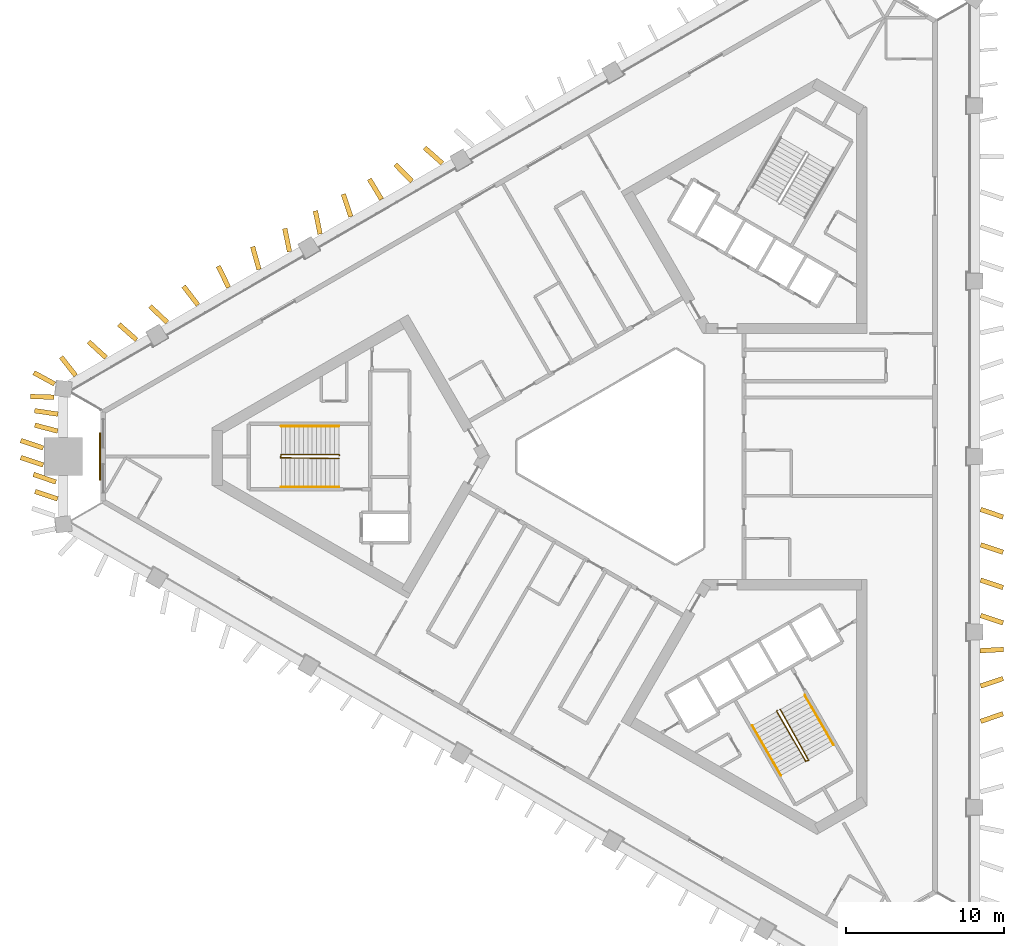
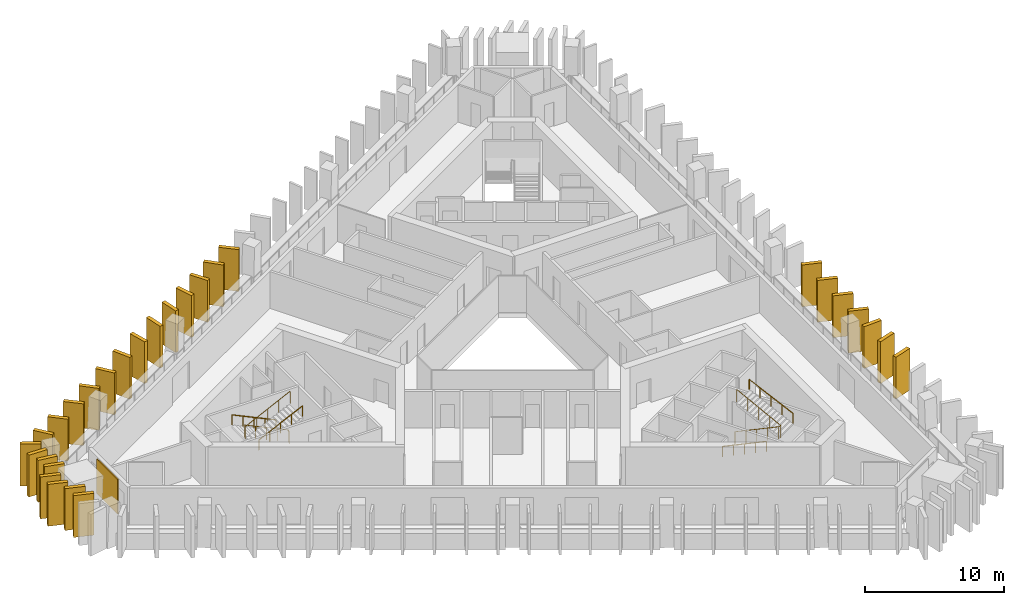
# One storey, part 9 of 11: 28 shading devices, 6 railings, 1 covering.
"""IFC4 building model written with IfcOpenShell, lengths in metres."""

from ifc_helpers import new_model, si_unit, direction, frame, frame_2d, origin, origin_2d, place, context, subcontext, project, spatial, rectangle, circle, extrude, material, layer, layer_set, type_object, element, save


model = new_model("IFC4")

# Units and contexts
model_context = context("Model", 3, precision=1e-05, world=origin(), true_north=direction((0.0, 1.0)))
body_context = subcontext(model_context, "Body", "Model", "MODEL_VIEW")
ifc_project = project(units=[si_unit("LENGTHUNIT", "METRE"), si_unit("AREAUNIT", "SQUARE_METRE"), si_unit("VOLUMEUNIT", "CUBIC_METRE"), si_unit("PLANEANGLEUNIT", "RADIAN"), si_unit("MASSUNIT", "GRAM", prefix="KILO")], contexts=[model_context])

# Site, building, storey
site_placement = place(None, origin())
site = spatial("IfcSite", under=ifc_project, at=site_placement, CompositionType="ELEMENT")
building_placement = place(site_placement, origin())
building = spatial("IfcBuilding", under=site, at=building_placement, Name="Jabali Bay Hotel Tower and Convention Centre", CompositionType="ELEMENT")
storey_placement = place(building_placement, frame((0.0, 0.0, 143.800048828125)))
storey = spatial("IfcBuildingStorey", under=building, at=storey_placement, Name="L35", CompositionType="ELEMENT", Elevation=143.800048828125)

# Shading devices
ifc_material_1 = material(Name="Precast concrete C60", Category="concrete")
ifc_layer_1 = layer(ifc_material_1, 0.300048828125)
ifc_layer_set_1 = layer_set([ifc_layer_1], Name="Precast concrete C60")
shading_device_type = type_object("IfcShadingDeviceType", Name="Precast fin 3680 x 1500", PredefinedType="USERDEFINED", material=ifc_layer_set_1)
for number, where, z_axis, x_axis, name in (
    (1, (97.092529296875, 63.221923828125, 0.010009765625), (0.0, 0.0, 1.0), (0.948030279817, 0.318180119664, 0.0), "Fin L35 005"),
    (2, (97.092529296875, 65.458984375, 0.010009765625), (0.0, 0.0, 1.0), (0.948030279817, 0.318180119664, 0.0), "Fin L35 006"),
    (3, (97.052978515625, 67.696044921875, 0.010009765625), (0.0, 0.0, 1.0), (0.998565180792, 0.053549787201, 0.0), "Fin L35 007"),
    (4, (97.092529296875, 69.93310546875, 0.010009765625), (0.0, 0.0, 1.0), (0.948030279817, -0.318180119664, 0.0), "Fin L35 008"),
    (5, (97.092529296875, 72.170166015625, 0.010009765625), (0.0, 0.0, 1.0), (0.948030279817, -0.318180119664, 0.0), "Fin L35 009"),
    (6, (97.092529296875, 74.4072265625, 0.010009765625), (0.0, 0.0, 1.0), (0.948030279817, -0.318180119664, 0.0), "Fin L35 010"),
    (7, (97.092529296875, 76.644287109375, 0.010009765625), (0.0, 0.0, 1.0), (0.948030279817, -0.318180119664, 0.0), "Fin L35 011"),
    (8, (62.985107421875, 98.5732421875, 0.010009765625), (0.0, 0.0, 1.0), (-0.747929954237, 0.663777661236, 0.0), "Fin L35 047"),
    (9, (61.052734375, 97.4462890625, 0.010009765625), (0.0, 0.0, 1.0), (-0.70146947604, 0.712699497814, 0.0), "Fin L35 048"),
    (10, (59.132568359375, 96.2978515625, 0.010009765625), (0.0, 0.0, 1.0), (-0.518081654368, 0.855331163589, 0.0), "Fin L35 049"),
):
    element("IfcShadingDevice", number, at=place(storey_placement, frame(where, z_axis=z_axis, x_axis=x_axis)), inside=storey, type_object=shading_device_type, Name=name, ObjectType="FIN", PredefinedType="USERDEFINED", context=body_context, shape_type="SweptSolid", body=[
        extrude(rectangle(XDim=1.5, YDim=0.300048828125, at=frame_2d((0.75, 0.0))), origin(), (0.0, 0.0, 1.0), 3.679931640625),
    ])
shading_device_1_placement = place(storey_placement, frame((57.181884765625, 95.202392578125, 0.010009765625), z_axis=(0.0, 0.0, 1.0), x_axis=(-0.317838472738, 0.948144875664, 0.0)))
element("IfcShadingDevice", 11, at=shading_device_1_placement, inside=storey, type_object=shading_device_type, Name="Fin L35 050", ObjectType="FIN", PredefinedType="USERDEFINED", context=body_context, shape_type="SweptSolid", body=[
    extrude(rectangle(XDim=1.500244140625, YDim=0.300048828125, at=frame_2d((0.75, 0.0))), origin(), (0.0, 0.0, 1.0), 3.679931640625),
])
for number, where, z_axis, x_axis, name in (
    (12, (55.235595703125, 94.099365234375, 0.010009765625), (0.0, 0.0, 1.0), (-0.198400456872, 0.980121042889, 0.0), "Fin L35 051"),
    (13, (53.298095703125, 92.980712890625, 0.010009765625), (0.0, 0.0, 1.0), (-0.198400456872, 0.980121042889, 0.0), "Fin L35 052"),
    (14, (51.365966796875, 91.853271484375, 0.010009765625), (0.0, 0.0, 1.0), (-0.268374061543, 0.963314778819, 0.0), "Fin L35 053"),
    (15, (49.44189453125, 90.711669921875, 0.010009765625), (0.0, 0.0, 1.0), (-0.436832474176, 0.899542878081, 0.0), "Fin L35 054"),
    (16, (47.5, 89.600830078125, 0.010009765625), (0.0, 0.0, 1.0), (-0.608868807187, 0.793270934571, 0.0), "Fin L35 055"),
):
    element("IfcShadingDevice", number, at=place(storey_placement, frame(where, z_axis=z_axis, x_axis=x_axis)), inside=storey, type_object=shading_device_type, Name=name, ObjectType="FIN", PredefinedType="USERDEFINED", context=body_context, shape_type="SweptSolid", body=[
        extrude(rectangle(XDim=1.5, YDim=0.300048828125, at=frame_2d((0.75, 0.0))), origin(), (0.0, 0.0, 1.0), 3.679931640625),
    ])
shading_device_2_placement = place(storey_placement, frame((45.55078125, 88.5029296875, 0.010009765625), z_axis=(0.0, 0.0, 1.0), x_axis=(-0.72882099242, 0.684704287272, 0.0)))
element("IfcShadingDevice", 17, at=shading_device_2_placement, inside=storey, type_object=shading_device_type, Name="Fin L35 056", ObjectType="FIN", PredefinedType="USERDEFINED", context=body_context, shape_type="SweptSolid", body=[
    extrude(rectangle(XDim=1.499755859375, YDim=0.300048828125, at=frame_2d((0.75, 0.0))), origin(), (0.0, 0.0, 1.0), 3.679931640625),
])
for number, where, z_axis, x_axis, name in (
    (18, (43.611328125, 87.38818359375, 0.010009765625), (0.0, 0.0, 1.0), (-0.749685839111, 0.66179388229, 0.0), "Fin L35 057"),
    (19, (41.675048828125, 86.267578125, 0.010009765625), (0.0, 0.0, 1.0), (-0.738753229389, 0.673976012976, 0.0), "Fin L35 058"),
):
    element("IfcShadingDevice", number, at=place(storey_placement, frame(where, z_axis=z_axis, x_axis=x_axis)), inside=storey, type_object=shading_device_type, Name=name, ObjectType="FIN", PredefinedType="USERDEFINED", context=body_context, shape_type="SweptSolid", body=[
        extrude(rectangle(XDim=1.5, YDim=0.300048828125, at=frame_2d((0.75, 0.0))), origin(), (0.0, 0.0, 1.0), 3.679931640625),
    ])
shading_device_3_placement = place(storey_placement, frame((39.75, 85.127685546875, 0.010009765625), z_axis=(0.0, 0.0, 1.0), x_axis=(-0.615662990837, 0.788009569557, 0.0)))
element("IfcShadingDevice", 20, at=shading_device_3_placement, inside=storey, type_object=shading_device_type, Name="Fin L35 059", ObjectType="FIN", PredefinedType="USERDEFINED", context=body_context, shape_type="SweptSolid", body=[
    extrude(rectangle(XDim=1.500244140625, YDim=0.300048828125, at=frame_2d((0.75, 0.0))), origin(), (0.0, 0.0, 1.0), 3.679931640625),
])
for number, where, z_axis, x_axis, name in (
    (21, (38.379638671875, 83.760009765625, 0.010009765625), (0.0, 0.0, 1.0), (-0.999516670176, 0.031087393585, 0.0), "Fin L35 060"),
    (22, (38.629150390625, 82.685791015625, 0.010009765625), (0.0, 0.0, 1.0), (-0.989261062107, 0.146159334283, 0.0), "Fin L35 061"),
):
    element("IfcShadingDevice", number, at=place(storey_placement, frame(where, z_axis=z_axis, x_axis=x_axis)), inside=storey, type_object=shading_device_type, Name=name, ObjectType="FIN", PredefinedType="USERDEFINED", context=body_context, shape_type="SweptSolid", body=[
        extrude(rectangle(XDim=1.5, YDim=0.300048828125, at=frame_2d((0.75, 0.0))), origin(), (0.0, 0.0, 1.0), 3.679931640625),
    ])
shading_device_4_placement = place(storey_placement, frame((38.61328125, 81.611328125, 0.010009765625), z_axis=(0.0, 0.0, 1.0), x_axis=(-0.967731264104, 0.251984524278, 0.0)))
element("IfcShadingDevice", 23, at=shading_device_4_placement, inside=storey, type_object=shading_device_type, Name="Fin L35 062", ObjectType="FIN", PredefinedType="USERDEFINED", context=body_context, shape_type="SweptSolid", body=[
    extrude(rectangle(XDim=1.499755859375, YDim=0.300048828125, at=frame_2d((0.75, 0.0))), origin(), (0.0, 0.0, 1.0), 3.679931640625),
])
shading_device_5_placement = place(storey_placement, frame((37.69091796875, 80.537109375, 0.010009765625), z_axis=(0.0, 0.0, 1.0), x_axis=(-0.94796468296, 0.318375501351, 0.0)))
element("IfcShadingDevice", 24, at=shading_device_5_placement, inside=storey, type_object=shading_device_type, Name="Fin L35 063", ObjectType="FIN", PredefinedType="USERDEFINED", context=body_context, shape_type="SweptSolid", body=[
    extrude(rectangle(XDim=1.5, YDim=0.300048828125, at=frame_2d((0.75, 0.0))), origin(), (0.0, 0.0, 1.0), 3.679931640625),
])
for number, where, z_axis, x_axis, name in (
    (25, (37.69091796875, 79.462890625, 0.010009765625), (0.0, 0.0, 1.0), (-0.948013799223, 0.318229220034, 0.0), "Fin L35 064"),
    (26, (38.492919921875, 78.388671875, 0.010009765625), (0.0, 0.0, 1.0), (-0.948013799223, 0.318229220034, 0.0), "Fin L35 065"),
):
    element("IfcShadingDevice", number, at=place(storey_placement, frame(where, z_axis=z_axis, x_axis=x_axis)), inside=storey, type_object=shading_device_type, Name=name, ObjectType="FIN", PredefinedType="USERDEFINED", context=body_context, shape_type="SweptSolid", body=[
        extrude(rectangle(XDim=1.499755859375, YDim=0.300048828125, at=frame_2d((0.75, 0.0))), origin(), (0.0, 0.0, 1.0), 3.679931640625),
    ])
shading_device_6_placement = place(storey_placement, frame((38.603515625, 77.314208984375, 0.010009765625), z_axis=(0.0, 0.0, 1.0), x_axis=(-0.947981177855, 0.3183263835, 0.0)))
element("IfcShadingDevice", 27, at=shading_device_6_placement, inside=storey, type_object=shading_device_type, Name="Fin L35 066", ObjectType="FIN", PredefinedType="USERDEFINED", context=body_context, shape_type="SweptSolid", body=[
    extrude(rectangle(XDim=1.500244140625, YDim=0.300048828125, at=frame_2d((0.75, 0.0))), origin(), (0.0, 0.0, 1.0), 3.679931640625),
])
shading_device_7_placement = place(storey_placement, frame((38.4150390625, 84.59912109375, 0.010009765625), z_axis=(0.0, 0.0, 1.0), x_axis=(-0.879056132781, 0.476718276785, 0.0)))
element("IfcShadingDevice", 28, at=shading_device_7_placement, inside=storey, type_object=shading_device_type, Name="Fin L35 105", ObjectType="FIN", PredefinedType="USERDEFINED", context=body_context, shape_type="SweptSolid", body=[
    extrude(rectangle(XDim=1.5, YDim=0.300048828125, at=frame_2d((0.75, 0.0))), origin(), (0.0, 0.0, 1.0), 3.679931640625),
])

# Covering
ifc_material_2 = material(Name="Precast concrete C40/50", Category="concrete")
ifc_layer_2 = layer(ifc_material_2, 0.080078125)
ifc_layer_set_2 = layer_set([ifc_layer_2], Name="Precast concrete C40/50")
covering_type = type_object("IfcCoveringType", Name="Relief panel 3000 x 3050", PredefinedType="CLADDING", material=ifc_layer_set_2)
covering_placement = place(storey_placement, frame((41.2978515625, 80.0, 0.10009765625), z_axis=(0.0, 0.0, 1.0), x_axis=(0.0, 1.0, 0.0)))
element("IfcCovering", 29, at=covering_placement, inside=storey, type_object=covering_type, Name="Relief panel L35", PredefinedType="CLADDING", context=body_context, shape_type="SweptSolid", body=[
    extrude(rectangle(XDim=3.0, YDim=0.080078125, at=origin_2d()), origin(), (0.0, 0.0, 1.0), 3.050048828125),
])

# Railings
ifc_material_3 = material(Name="Steel Q355B", Category="steel")
railing_type_1 = type_object("IfcRailingType", Name="Stair guard 1100", PredefinedType="GUARDRAIL", material=ifc_material_3)
railing_1_placement = place(storey_placement, frame((56.469970703125, 80.074951171875, 0.0)))
element("IfcRailing", 30, at=railing_1_placement, inside=storey, type_object=railing_type_1, Name="L35 ST1 stair guard 1", PredefinedType="GUARDRAIL", context=body_context, shape_type="SweptSolid", body=[
    extrude(circle(Radius=0.02392578125, at=origin_2d()), frame((0.0, 0.0, 1.076171875), z_axis=(-0.333993628408, 0.333993628408, 0.881417331555), x_axis=(-0.707106781187, -0.707106781187, 0.0)), (0.0, 0.0, 1.0), 0.14990234375),
    extrude(circle(Radius=0.02392578125, at=origin_2d()), frame((-0.050048828125, 0.050048828125, 1.2080078125), z_axis=(-0.904350763662, 0.0, 0.426789990819), x_axis=(0.0, -1.0, 0.0)), (0.0, 0.0, 1.0), 4.02490234375),
    extrude(circle(Radius=0.02392578125, at=origin_2d()), frame((-3.68994140625, 0.050048828125, 2.92578125), z_axis=(-0.242814311512, -0.970072785993, 0.0), x_axis=(0.970072785993, -0.242814311512, 0.0)), (0.0, 0.0, 1.0), 0.2060546875),
    extrude(circle(Radius=0.02392578125, at=origin_2d()), frame((-3.739990234375, -0.14990234375, 2.92578125), z_axis=(0.893864111827, -0.012124000458, 0.448174026692), x_axis=(0.013562335953, 0.999908027292, 0.0)), (0.0, 0.0, 1.0), 4.128173828125),
    extrude(circle(Radius=0.02099609375, at=origin_2d()), origin(), (0.0, 0.0, 1.0), 1.052001953125),
    extrude(circle(Radius=0.02099609375, at=origin_2d()), frame((-0.050048828125, 0.050048828125, 0.132080078125)), (0.0, 0.0, 1.0), 1.052001953125),
    extrude(circle(Radius=0.02099609375, at=origin_2d()), frame((-0.9599609375, 0.050048828125, 0.5615234375)), (0.0, 0.0, 1.0), 1.052001953125),
    extrude(circle(Radius=0.02099609375, at=origin_2d()), frame((-1.8701171875, 0.050048828125, 0.990966796875)), (0.0, 0.0, 1.0), 1.052001953125),
    extrude(circle(Radius=0.02099609375, at=origin_2d()), frame((-2.780029296875, 0.050048828125, 1.42041015625)), (0.0, 0.0, 1.0), 1.052001953125),
    extrude(circle(Radius=0.02099609375, at=origin_2d()), frame((-3.68994140625, 0.050048828125, 1.849853515625)), (0.0, 0.0, 1.0), 1.052001953125),
    extrude(circle(Radius=0.02099609375, at=origin_2d()), frame((-3.739990234375, -0.14990234375, 1.849853515625)), (0.0, 0.0, 1.0), 1.052001953125),
    extrude(circle(Radius=0.02099609375, at=origin_2d()), frame((-2.8173828125, -0.162353515625, 2.3125)), (0.0, 0.0, 1.0), 1.052001953125),
    extrude(circle(Radius=0.02099609375, at=origin_2d()), frame((-1.89501953125, -0.1748046875, 2.77490234375)), (0.0, 0.0, 1.0), 1.052001953125),
    extrude(circle(Radius=0.02099609375, at=origin_2d()), frame((-0.97265625, -0.1875, 3.2373046875)), (0.0, 0.0, 1.0), 1.052001953125),
    extrude(circle(Radius=0.02099609375, at=origin_2d()), frame((-0.050048828125, -0.199951171875, 3.699951171875)), (0.0, 0.0, 1.0), 1.052001953125),
])
railing_2_placement = place(storey_placement, frame((84.199951171875, 63.9150390625, 0.0)))
element("IfcRailing", 31, at=railing_2_placement, inside=storey, type_object=railing_type_1, Name="L35 ST3 stair guard 1", PredefinedType="GUARDRAIL", context=body_context, shape_type="SweptSolid", body=[
    extrude(circle(Radius=0.02392578125, at=origin_2d()), frame((0.0, 0.0, 1.076171875), z_axis=(-0.122196845461, -0.456201556387, 0.881446578591), x_axis=(0.965948051503, -0.258736085224, 0.0)), (0.0, 0.0, 1.0), 0.14990234375),
    extrude(circle(Radius=0.02392578125, at=origin_2d()), frame((-0.018310546875, -0.068359375, 1.2080078125), z_axis=(0.452190331055, -0.783190014029, 0.426775475427), x_axis=(0.866018046521, 0.500012742938, 0.0)), (0.0, 0.0, 1.0), 4.02490234375),
    extrude(circle(Radius=0.02392578125, at=origin_2d()), frame((1.8017578125, -3.220703125, 2.92578125), z_axis=(0.96121063429, 0.275815366736, 0.0), x_axis=(-0.275815366736, 0.96121063429, 0.0)), (0.0, 0.0, 1.0), 0.206298828125),
    extrude(circle(Radius=0.02392578125, at=origin_2d()), frame((2.0, -3.163818359375, 2.92578125), z_axis=(-0.436470229993, 0.780146179382, 0.448180406895), x_axis=(-0.872702246529, -0.488252792008, 0.0)), (0.0, 0.0, 1.0), 4.1279296875),
    extrude(circle(Radius=0.02099609375, at=origin_2d()), origin(), (0.0, 0.0, 1.0), 1.052001953125),
    extrude(circle(Radius=0.02099609375, at=origin_2d()), frame((-0.018310546875, -0.068359375, 0.132080078125)), (0.0, 0.0, 1.0), 1.052001953125),
    extrude(circle(Radius=0.02099609375, at=origin_2d()), frame((0.436767578125, -0.8564453125, 0.5615234375)), (0.0, 0.0, 1.0), 1.052001953125),
    extrude(circle(Radius=0.02099609375, at=origin_2d()), frame((0.8916015625, -1.64453125, 0.990966796875)), (0.0, 0.0, 1.0), 1.052001953125),
    extrude(circle(Radius=0.02099609375, at=origin_2d()), frame((1.3466796875, -2.4326171875, 1.42041015625)), (0.0, 0.0, 1.0), 1.052001953125),
    extrude(circle(Radius=0.02099609375, at=origin_2d()), frame((1.8017578125, -3.220703125, 1.849853515625)), (0.0, 0.0, 1.0), 1.052001953125),
    extrude(circle(Radius=0.02099609375, at=origin_2d()), frame((2.0, -3.163818359375, 1.849853515625)), (0.0, 0.0, 1.0), 1.052001953125),
    extrude(circle(Radius=0.02099609375, at=origin_2d()), frame((1.549560546875, -2.358642578125, 2.3125)), (0.0, 0.0, 1.0), 1.052001953125),
    extrude(circle(Radius=0.02099609375, at=origin_2d()), frame((1.09912109375, -1.5537109375, 2.77490234375)), (0.0, 0.0, 1.0), 1.052001953125),
    extrude(circle(Radius=0.02099609375, at=origin_2d()), frame((0.648681640625, -0.74853515625, 3.2373046875)), (0.0, 0.0, 1.0), 1.052001953125),
    extrude(circle(Radius=0.02099609375, at=origin_2d()), frame((0.1982421875, 0.056640625, 3.699951171875)), (0.0, 0.0, 1.0), 1.052001953125),
])
railing_type_2 = type_object("IfcRailingType", Name="Stair handrail 900", PredefinedType="HANDRAIL", material=ifc_material_3)
railing_3_placement = place(storey_placement, frame((56.419921875, 81.925048828125, 0.132080078125)))
element("IfcRailing", 32, at=railing_3_placement, inside=storey, type_object=railing_type_2, Name="L35 ST1 stair handrail 1", PredefinedType="HANDRAIL", context=body_context, shape_type="SweptSolid", body=[
    extrude(circle(Radius=0.02392578125, at=origin_2d()), frame((0.0, 0.0, 0.8759765625), z_axis=(-0.904350763662, 0.0, 0.426789990819), x_axis=(0.0, -1.0, 0.0)), (0.0, 0.0, 1.0), 4.02490234375),
    extrude(circle(Radius=0.02099609375, at=origin_2d()), origin(), (0.0, 0.0, 1.0), 0.851806640625),
    extrude(circle(Radius=0.02099609375, at=origin_2d()), frame((-0.909912109375, 0.0, 0.429443359375)), (0.0, 0.0, 1.0), 0.851806640625),
    extrude(circle(Radius=0.02099609375, at=origin_2d()), frame((-1.81982421875, 0.0, 0.85888671875)), (0.0, 0.0, 1.0), 0.851806640625),
    extrude(circle(Radius=0.02099609375, at=origin_2d()), frame((-2.72998046875, 0.0, 1.288330078125)), (0.0, 0.0, 1.0), 0.851806640625),
    extrude(circle(Radius=0.02099609375, at=origin_2d()), frame((-3.639892578125, 0.0, 1.7177734375)), (0.0, 0.0, 1.0), 0.851806640625),
])
railing_4_placement = place(storey_placement, frame((52.780029296875, 78.074951171875, 1.982177734375)))
element("IfcRailing", 33, at=railing_4_placement, inside=storey, type_object=railing_type_2, Name="L35 ST1 stair handrail 2", PredefinedType="HANDRAIL", context=body_context, shape_type="SweptSolid", body=[
    extrude(circle(Radius=0.02392578125, at=origin_2d()), frame((0.0, 0.0, 0.8759765625), z_axis=(0.904350763662, 0.0, 0.426789990819), x_axis=(0.0, 1.0, 0.0)), (0.0, 0.0, 1.0), 4.02490234375),
    extrude(circle(Radius=0.02099609375, at=origin_2d()), origin(), (0.0, 0.0, 1.0), 0.851806640625),
    extrude(circle(Radius=0.02099609375, at=origin_2d()), frame((0.909912109375, 0.0, 0.429443359375)), (0.0, 0.0, 1.0), 0.851806640625),
    extrude(circle(Radius=0.02099609375, at=origin_2d()), frame((1.81982421875, 0.0, 0.85888671875)), (0.0, 0.0, 1.0), 0.851806640625),
    extrude(circle(Radius=0.02099609375, at=origin_2d()), frame((2.72998046875, 0.0, 1.288330078125)), (0.0, 0.0, 1.0), 0.851806640625),
    extrude(circle(Radius=0.02099609375, at=origin_2d()), frame((3.639892578125, 0.0, 1.7177734375)), (0.0, 0.0, 1.0), 0.851806640625),
])
railing_5_placement = place(storey_placement, frame((82.622802734375, 62.94677734375, 0.132080078125)))
element("IfcRailing", 34, at=railing_5_placement, inside=storey, type_object=railing_type_2, Name="L35 ST3 stair handrail 1", PredefinedType="HANDRAIL", context=body_context, shape_type="SweptSolid", body=[
    extrude(circle(Radius=0.02392578125, at=origin_2d()), frame((0.0, 0.0, 0.8759765625), z_axis=(0.452190331055, -0.783190014029, 0.426775475427), x_axis=(0.866018046521, 0.500012742938, 0.0)), (0.0, 0.0, 1.0), 4.02490234375),
    extrude(circle(Radius=0.02099609375, at=origin_2d()), origin(), (0.0, 0.0, 1.0), 0.851806640625),
    extrude(circle(Radius=0.02099609375, at=origin_2d()), frame((0.455078125, -0.7880859375, 0.429443359375)), (0.0, 0.0, 1.0), 0.851806640625),
    extrude(circle(Radius=0.02099609375, at=origin_2d()), frame((0.91015625, -1.576171875, 0.85888671875)), (0.0, 0.0, 1.0), 0.851806640625),
    extrude(circle(Radius=0.02099609375, at=origin_2d()), frame((1.364990234375, -2.3642578125, 1.288330078125)), (0.0, 0.0, 1.0), 0.851806640625),
    extrude(circle(Radius=0.02099609375, at=origin_2d()), frame((1.820068359375, -3.15234375, 1.7177734375)), (0.0, 0.0, 1.0), 0.851806640625),
])
railing_6_placement = place(storey_placement, frame((87.777099609375, 61.719482421875, 1.982177734375)))
element("IfcRailing", 35, at=railing_6_placement, inside=storey, type_object=railing_type_2, Name="L35 ST3 stair handrail 2", PredefinedType="HANDRAIL", context=body_context, shape_type="SweptSolid", body=[
    extrude(circle(Radius=0.02392578125, at=origin_2d()), frame((0.0, 0.0, 0.8759765625), z_axis=(-0.452190331055, 0.783190014029, 0.426775475427), x_axis=(-0.866018046521, -0.500012742938, 0.0)), (0.0, 0.0, 1.0), 4.02490234375),
    extrude(circle(Radius=0.02099609375, at=origin_2d()), origin(), (0.0, 0.0, 1.0), 0.851806640625),
    extrude(circle(Radius=0.02099609375, at=origin_2d()), frame((-0.455078125, 0.7880859375, 0.429443359375)), (0.0, 0.0, 1.0), 0.851806640625),
    extrude(circle(Radius=0.02099609375, at=origin_2d()), frame((-0.91015625, 1.576171875, 0.85888671875)), (0.0, 0.0, 1.0), 0.851806640625),
    extrude(circle(Radius=0.02099609375, at=origin_2d()), frame((-1.364990234375, 2.3642578125, 1.288330078125)), (0.0, 0.0, 1.0), 0.851806640625),
    extrude(circle(Radius=0.02099609375, at=origin_2d()), frame((-1.820068359375, 3.15234375, 1.7177734375)), (0.0, 0.0, 1.0), 0.851806640625),
])

save(model, "model.ifc")
